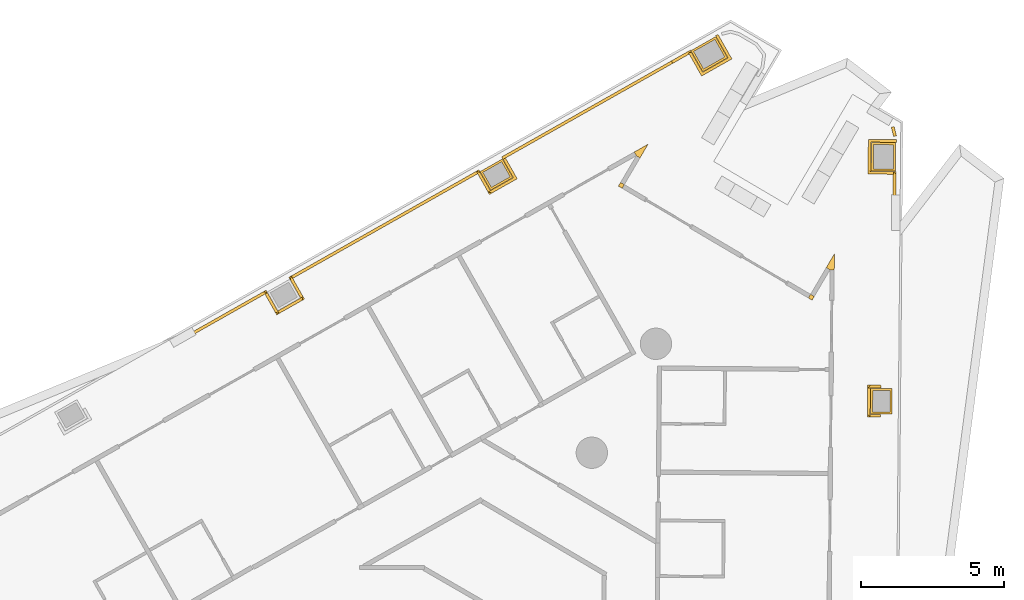
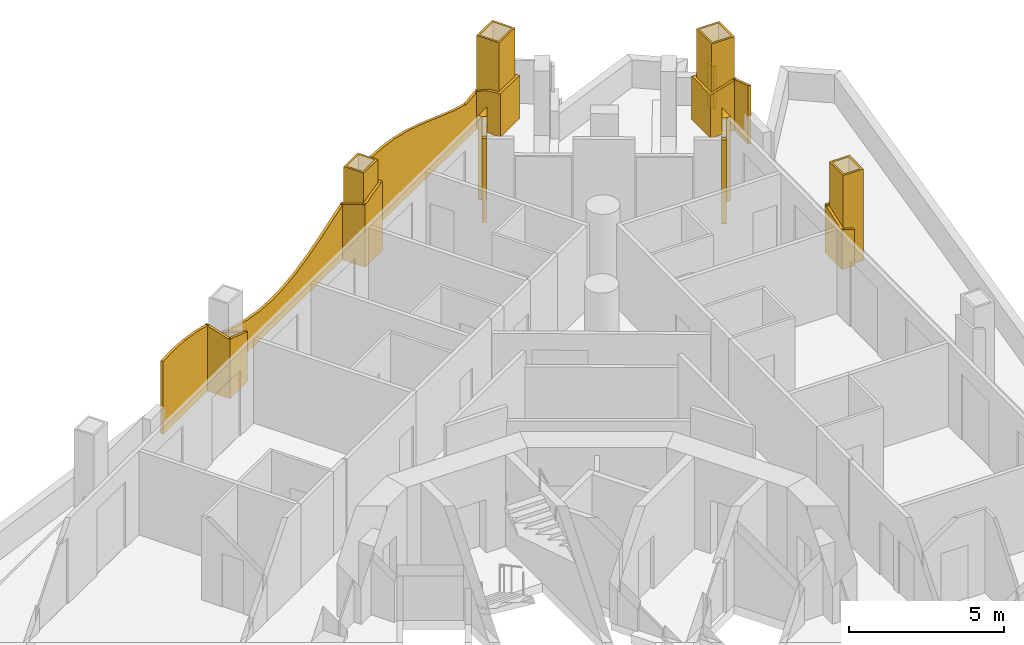
# One storey, part 17 of 18: 8 coverings, 4 railings.
"""IFC4 building model written with IfcOpenShell, lengths in metres."""

import ifcopenshell
import ifcopenshell.guid

model = None  # the IFC model being written
_history = None  # IfcOwnerHistory: only IFC2X3 demands one
_inside = {}  # id of a spatial element -> (the spatial element, [elements in it])
_under = {}  # id of a project, library or spatial element -> (it, [spatial elements below it])
_declared = {}  # id of a project -> (the project, [libraries it declares])
_typed = {}  # id of a type object -> (the type object, [elements of that type])
_made_of = {}  # id of a material, layer set ... -> (it, [elements and type objects made of it])


def new_model(schema):
    """Start an empty IFC model of exactly this schema.

    Asked for "IFC4X3", IfcOpenShell would pick the latest addendum, in which some entities
    have other attributes; the version numbers below select the first issue.
    IFC2X3 requires an IfcOwnerHistory on every rooted entity: one is made here for all.
    """
    global model, _history
    if schema == "IFC4X3":
        model = ifcopenshell.file(schema_version=(4, 3, 0, 0))
    else:
        model = ifcopenshell.file(schema=schema)
    _inside.clear()
    _under.clear()
    _declared.clear()
    _typed.clear()
    _made_of.clear()
    _history = None
    if model.schema == "IFC2X3":
        org = make("IfcOrganization", Name="unknown")
        user = make(
            "IfcPersonAndOrganization",
            ThePerson=make("IfcPerson", FamilyName="unknown"),
            TheOrganization=org,
        )
        app = make(
            "IfcApplication",
            ApplicationDeveloper=org,
            Version="unknown",
            ApplicationFullName="unknown",
            ApplicationIdentifier="unknown",
        )
        _history = make(
            "IfcOwnerHistory",
            OwningUser=user,
            OwningApplication=app,
            ChangeAction="ADDED",
            CreationDate=0,
        )
    return model


def make(cls, **values):
    """One entity of the class cls with the attributes given. An attribute that is None is left unset."""
    return model.create_entity(
        cls, **{name: value for name, value in values.items() if value is not None}
    )


def rooted(cls, **values):
    """An entity with a GlobalId (a new one), such as an element, a storey or a relation."""
    return make(cls, GlobalId=ifcopenshell.guid.new(), OwnerHistory=_history, **values)


def si_unit(unit_type, name, prefix=None):
    """IfcSIUnit, for example si_unit("LENGTHUNIT", "METRE", prefix="MILLI")."""
    return make("IfcSIUnit", UnitType=unit_type, Prefix=prefix, Name=name)


def assignment(units):
    """IfcUnitAssignment: the units of a project."""
    return None if units is None else make("IfcUnitAssignment", Units=units)


def point(xyz):
    """IfcCartesianPoint."""
    return None if xyz is None else make("IfcCartesianPoint", Coordinates=xyz)


def direction(xyz):
    """IfcDirection."""
    return None if xyz is None else make("IfcDirection", DirectionRatios=xyz)


def frame(location, z_axis=None, x_axis=None):
    """IfcAxis2Placement3D, a coordinate frame: its origin and axes. An axis left out is left unset."""
    return make(
        "IfcAxis2Placement3D",
        Location=point(location),
        Axis=direction(z_axis),
        RefDirection=direction(x_axis),
    )


def origin():
    """The frame at (0, 0, 0) with its axes left unset."""
    return frame((0.0, 0.0, 0.0))


def place(relative_to, where):
    """IfcLocalPlacement: puts the frame where relative to a parent placement (None: the world)."""
    return make(
        "IfcLocalPlacement", PlacementRelTo=relative_to, RelativePlacement=where
    )


def context(
    kind, dimensions, precision=None, world=None, true_north=None, identifier=None
):
    """IfcGeometricRepresentationContext, for example the 3D "Model" context."""
    return make(
        "IfcGeometricRepresentationContext",
        ContextIdentifier=identifier,
        ContextType=kind,
        CoordinateSpaceDimension=dimensions,
        Precision=precision,
        WorldCoordinateSystem=world,
        TrueNorth=true_north,
    )


def subcontext(parent, identifier, kind, view, scale=None):
    """IfcGeometricRepresentationSubContext, for example "Body" below "Model"."""
    return make(
        "IfcGeometricRepresentationSubContext",
        ContextIdentifier=identifier,
        ContextType=kind,
        ParentContext=parent,
        TargetScale=scale,
        TargetView=view,
    )


def project(units=None, contexts=None):
    """IfcProject with its units and contexts."""
    return rooted(
        "IfcProject",
        Name="project",
        RepresentationContexts=contexts,
        UnitsInContext=assignment(units),
    )


def spatial(cls, under=None, at=None, **own):
    """A site, building, storey or space (cls), placed at a placement, below another one or the project."""
    s = rooted(cls, ObjectPlacement=at, **own)
    if under is not None:
        _under.setdefault(under.id(), (under, []))[1].append(s)
    return s


def polyline(points):
    """IfcPolyline through the points."""
    return make("IfcPolyline", Points=[point(p) for p in points])


def outline(outer, holes=None, kind="AREA"):
    """IfcArbitraryClosedProfileDef: a profile drawn as a closed curve; with holes, ...WithVoids."""
    if holes is None:
        return make("IfcArbitraryClosedProfileDef", ProfileType=kind, OuterCurve=outer)
    return make(
        "IfcArbitraryProfileDefWithVoids",
        ProfileType=kind,
        OuterCurve=outer,
        InnerCurves=holes,
    )


def extrude(swept, where, along, depth):
    """IfcExtrudedAreaSolid: the profile swept, set in the frame where, extruded along a direction by depth."""
    return make(
        "IfcExtrudedAreaSolid",
        SweptArea=swept,
        Position=where,
        ExtrudedDirection=direction(along),
        Depth=depth,
    )


def shape(context_of_items, identifier, shape_type, items):
    """IfcShapeRepresentation: the items that make up one representation, for example the "Body"."""
    return make(
        "IfcShapeRepresentation",
        ContextOfItems=context_of_items,
        RepresentationIdentifier=identifier,
        RepresentationType=shape_type,
        Items=items,
    )


def material(Name=None, Category=None):
    """IfcMaterial."""
    return make("IfcMaterial", Name=Name, Category=Category)


def layer(
    of_material, thickness, ventilated=None, Name=None, Category=None, Priority=None
):
    """IfcMaterialLayer: one layer of a wall or slab, of a material (None: an air gap)."""
    return make(
        "IfcMaterialLayer",
        Material=of_material,
        LayerThickness=thickness,
        IsVentilated=ventilated,
        Name=Name,
        Category=Category,
        Priority=Priority,
    )


def layer_set(layers, Name=None):
    """IfcMaterialLayerSet."""
    return make("IfcMaterialLayerSet", MaterialLayers=layers, LayerSetName=Name)


def made_of(thing, what):
    """Note that an element or type object is made of a material, layer set ...; save() writes the relation."""
    if what is not None:
        _made_of.setdefault(what.id(), (what, []))[1].append(thing)
    return thing


def type_object(cls, material=None, **own):
    """A type object (cls), such as IfcWallType, which elements share."""
    return made_of(rooted(cls, **own), material)


def element(
    cls,
    number,
    at=None,
    inside=None,
    cuts=None,
    type_object=None,
    material=None,
    context=None,
    identifier="Body",
    shape_type=None,
    held_by="IfcProductDefinitionShape",
    body=None,
    shapes=None,
    **own,
):
    """One element of the class cls, such as IfcWall. Its Tag is "e" and its number.

    at: its placement. inside: the storey or other place that contains it. cuts: it is an
    opening in that element (IfcRelVoidsElement). A single representation is given by context,
    identifier, shape_type and body (its items); several are given by shapes. held_by: the class
    of the entity that holds the representations. save() writes the other relations.
    """
    e = rooted(cls, Tag="e%d" % number, ObjectPlacement=at, **own)
    if body is not None:
        shapes = [shape(context, identifier, shape_type, body)]
    if shapes is not None:
        e.Representation = make(held_by, Representations=shapes)
    if inside is not None:
        _inside.setdefault(inside.id(), (inside, []))[1].append(e)
    if cuts is not None:
        rooted(
            "IfcRelVoidsElement", RelatingBuildingElement=cuts, RelatedOpeningElement=e
        )
    if type_object is not None:
        _typed.setdefault(type_object.id(), (type_object, []))[1].append(e)
    return made_of(e, material)


def aggregate(whole, parts):
    """IfcRelAggregates: a whole, such as a stair, and the parts it consists of."""
    return rooted("IfcRelAggregates", RelatingObject=whole, RelatedObjects=parts)


def save(model, path):
    """Write the relations noted so far, then the file.

    IfcRelAggregates (storeys below a building ...), IfcRelContainedInSpatialStructure (elements
    in a storey), IfcRelDefinesByType, IfcRelAssociatesMaterial and IfcRelDeclares: one each for
    every whole, place, type object, material and project.
    """
    for whole, parts in _under.values():
        aggregate(whole, parts)
    for where, things in _inside.values():
        rooted(
            "IfcRelContainedInSpatialStructure",
            RelatedElements=things,
            RelatingStructure=where,
        )
    for kind, things in _typed.values():
        rooted("IfcRelDefinesByType", RelatedObjects=things, RelatingType=kind)
    for what, things in _made_of.values():
        rooted("IfcRelAssociatesMaterial", RelatedObjects=things, RelatingMaterial=what)
    for by, libraries in _declared.values():
        rooted("IfcRelDeclares", RelatingContext=by, RelatedDefinitions=libraries)
    model.write(path)


model = new_model("IFC4")

# Units and contexts
model_context = context("Model", 3, precision=1e-05, world=origin(), true_north=direction((0.0, 1.0)))
body_context = subcontext(model_context, "Body", "Model", "MODEL_VIEW")
ifc_project = project(units=[si_unit("LENGTHUNIT", "METRE"), si_unit("AREAUNIT", "SQUARE_METRE"), si_unit("VOLUMEUNIT", "CUBIC_METRE"), si_unit("PLANEANGLEUNIT", "RADIAN"), si_unit("MASSUNIT", "GRAM", prefix="KILO")], contexts=[model_context])

# Site, building, storey
site_placement = place(None, origin())
site = spatial("IfcSite", under=ifc_project, at=site_placement, CompositionType="ELEMENT")
building_placement = place(site_placement, origin())
building = spatial("IfcBuilding", under=site, at=building_placement, Name="Trine Commons Tower", CompositionType="ELEMENT")
storey_placement = place(building_placement, frame((0.0, 0.0, 161.10009765625)))
storey = spatial("IfcBuildingStorey", under=building, at=storey_placement, Name="L41", CompositionType="ELEMENT", Elevation=161.10009765625)

# Coverings
ifc_material_1 = material(Name="Aluminium-framed insulated wall panel", Category="aluminium")
ifc_layer_1 = layer(ifc_material_1, 0.14990234375)
ifc_layer_set_1 = layer_set([ifc_layer_1], Name="Aluminium-framed insulated wall panel")
covering_type_1 = type_object("IfcCoveringType", Name="Glazing corner post, aluminium", PredefinedType="CLADDING", material=ifc_layer_set_1)
covering_1_placement = place(storey_placement, origin())
element("IfcCovering", 1, at=covering_1_placement, inside=storey, type_object=covering_type_1, Name="Glazing corner post 5-05", PredefinedType="CLADDING", context=body_context, shape_type="SweptSolid", body=[
    extrude(outline(polyline([(90.626220703125, 88.007080078125), (90.910400390625, 88.489501953125), (90.423095703125, 88.213623046875), (90.496826171875, 88.083251953125), (90.626220703125, 88.007080078125)])), origin(), (0.0, 0.0, 1.0), 3.2998046875),
])
covering_2_placement = place(storey_placement, origin())
element("IfcCovering", 2, at=covering_2_placement, inside=storey, type_object=covering_type_1, Name="Glazing corner post 5-06", PredefinedType="CLADDING", context=body_context, shape_type="SweptSolid", body=[
    extrude(outline(polyline([(89.9990234375, 86.9423828125), (90.0751953125, 87.071533203125), (89.94580078125, 87.147705078125), (89.86962890625, 87.018310546875), (89.9990234375, 86.9423828125)])), origin(), (0.0, 0.0, 1.0), 3.2998046875),
])
covering_3_placement = place(storey_placement, origin())
element("IfcCovering", 3, at=covering_3_placement, inside=storey, type_object=covering_type_1, Name="Glazing corner post 5-07", PredefinedType="CLADDING", context=body_context, shape_type="SweptSolid", body=[
    extrude(outline(polyline([(96.530029296875, 83.09521484375), (96.659423828125, 83.01904296875), (96.735595703125, 83.148193359375), (96.606201171875, 83.224365234375), (96.530029296875, 83.09521484375)])), origin(), (0.0, 0.0, 1.0), 3.2998046875),
])
covering_4_placement = place(storey_placement, origin())
element("IfcCovering", 4, at=covering_4_placement, inside=storey, type_object=covering_type_1, Name="Glazing corner post 5-08", PredefinedType="CLADDING", context=body_context, shape_type="SweptSolid", body=[
    extrude(outline(polyline([(97.4365234375, 84.08251953125), (97.44140625, 84.64208984375), (97.1572265625, 84.159912109375), (97.28662109375, 84.083740234375), (97.4365234375, 84.08251953125)])), origin(), (0.0, 0.0, 1.0), 3.2998046875),
])
ifc_material_2 = material(Name="Limestone, honed", Category="masonry")
ifc_layer_2 = layer(ifc_material_2, 0.074951171875)
ifc_layer_set_2 = layer_set([ifc_layer_2], Name="Limestone, honed")
covering_type_2 = type_object("IfcCoveringType", Name="Limestone column cladding 75", PredefinedType="CLADDING", material=ifc_layer_set_2)
covering_5_placement = place(storey_placement, origin())
element("IfcCovering", 5, at=covering_5_placement, inside=storey, type_object=covering_type_2, Name="Limestone pier cladding 5-13", PredefinedType="CLADDING", context=body_context, shape_type="SweptSolid", body=[
    extrude(outline(polyline([(86.169921875, 87.318359375), (85.80078125, 87.97119140625), (85.017333984375, 87.52783203125), (85.38671875, 86.875), (86.169921875, 87.318359375)]), holes=[polyline([(86.06787109375, 87.3466796875), (85.7724609375, 87.868896484375), (85.11962890625, 87.49951171875), (85.4150390625, 86.977294921875), (86.06787109375, 87.3466796875)])]), origin(), (0.0, 0.0, 1.0), 3.599853515625),
])
covering_6_placement = place(storey_placement, origin())
element("IfcCovering", 6, at=covering_6_placement, inside=storey, type_object=covering_type_2, Name="Limestone pier cladding 5-14", PredefinedType="CLADDING", context=body_context, shape_type="SweptSolid", body=[
    extrude(outline(polyline([(93.697509765625, 91.519775390625), (93.279052734375, 92.259521484375), (92.40869140625, 91.76708984375), (92.8271484375, 91.02734375), (93.697509765625, 91.519775390625)]), holes=[polyline([(93.59521484375, 91.548095703125), (93.250732421875, 92.157470703125), (92.510986328125, 91.73876953125), (92.85546875, 91.129638671875), (93.59521484375, 91.548095703125)])]), origin(), (0.0, 0.0, 1.0), 3.599853515625),
])
covering_7_placement = place(storey_placement, origin())
element("IfcCovering", 7, at=covering_7_placement, inside=storey, type_object=covering_type_2, Name="Limestone pier cladding 5-15", PredefinedType="CLADDING", context=body_context, shape_type="SweptSolid", body=[
    extrude(outline(polyline([(99.590576171875, 88.5419921875), (98.740478515625, 88.54931640625), (98.73193359375, 87.54931640625), (99.581787109375, 87.5419921875), (99.590576171875, 88.5419921875)]), holes=[polyline([(99.514892578125, 88.467529296875), (98.81494140625, 88.4736328125), (98.8076171875, 87.623779296875), (99.507568359375, 87.61767578125), (99.514892578125, 88.467529296875)])]), origin(), (0.0, 0.0, 1.0), 3.599853515625),
])
covering_8_placement = place(storey_placement, origin())
element("IfcCovering", 8, at=covering_8_placement, inside=storey, type_object=covering_type_2, Name="Limestone pier cladding 5-16", PredefinedType="CLADDING", context=body_context, shape_type="SweptSolid", body=[
    extrude(outline(polyline([(99.46533203125, 79.922119140625), (98.71533203125, 79.9287109375), (98.70751953125, 79.028564453125), (99.45751953125, 79.02197265625), (99.46533203125, 79.922119140625)]), holes=[polyline([(99.3896484375, 79.84765625), (98.789794921875, 79.852783203125), (98.783203125, 79.102783203125), (99.383056640625, 79.09765625), (99.3896484375, 79.84765625)])]), origin(), (0.0, 0.0, 1.0), 3.599853515625),
])

# Railings
ifc_material_3 = material(Name="White powder-coated aluminium", Category="aluminium")
ifc_layer_3 = layer(ifc_material_3, 0.10009765625)
ifc_layer_set_3 = layer_set([ifc_layer_3], Name="White powder-coated aluminium")
railing_type = type_object("IfcRailingType", Name="White balustrade band 100", PredefinedType="GUARDRAIL", material=ifc_layer_set_3)
railing_1_placement = place(storey_placement, origin())
element("IfcRailing", 9, at=railing_1_placement, inside=storey, type_object=railing_type, Name="Guard band L41 11", PredefinedType="GUARDRAIL", context=body_context, shape_type="SweptSolid", body=[
    extrude(outline(polyline([(0.0, 0.0), (2.919189453125, 0.0), (2.919189453125, 2.564208984375), (2.154052734375, 2.74658203125), (1.388916015625, 2.862060546875), (0.647705078125, 2.89990234375), (0.62353515625, 2.89990234375), (0.0, 2.864990234375), (0.0, 0.0)])), frame((74.97216796875, 81.930908203125, 0.0), z_axis=(0.49236037445, -0.870391441635, 0.0), x_axis=(0.870391441635, 0.49236037445, 0.0)), (0.0, 0.0, 1.0), 0.10009765625),
    extrude(outline(polyline([(0.0, 0.0), (0.9365234375, 0.0), (0.9365234375, 2.30810546875), (0.46826171875, 2.45751953125), (0.0, 2.591796875), (0.0, 0.0)])), frame((77.511962890625, 83.36865234375, 0.0), z_axis=(-0.870368577416, -0.492400791476, 0.0), x_axis=(0.492400791476, -0.870368577416, 0.0)), (0.0, 0.0, 1.0), 0.10009765625),
    extrude(outline(polyline([(0.0, 0.0), (1.121826171875, 0.0), (1.121826171875, 1.95361328125), (0.56103515625, 2.151123046875), (0.0, 2.341552734375), (0.0, 0.0)])), frame((77.83544921875, 82.591552734375, 0.0), z_axis=(0.492243682902, -0.870457441029, 0.0), x_axis=(0.870457441029, 0.492243682902, 0.0)), (0.0, 0.0, 1.0), 0.10009765625),
    extrude(outline(polyline([(0.0, 0.0), (0.9365234375, 0.0), (0.9365234375, 1.666015625), (0.46826171875, 1.82470703125), (0.0, 1.9892578125), (0.0, 0.0)])), frame((78.773681640625, 83.0068359375, 0.0), z_axis=(0.870368577416, 0.492400791476, 0.0), x_axis=(-0.492400791476, 0.870368577416, 0.0)), (0.0, 0.0, 1.0), 0.10009765625),
    extrude(outline(polyline([(0.0, 0.0), (7.65234375, 0.0), (7.65234375, 2.184814453125), (6.88720703125, 1.915283203125), (6.121826171875, 1.65380859375), (5.356689453125, 1.423095703125), (4.59130859375, 1.244384765625), (3.826171875, 1.13330078125), (3.130859375, 1.099853515625), (3.060791015625, 1.10009765625), (2.295654296875, 1.14794921875), (1.530517578125, 1.272216796875), (0.76513671875, 1.4619140625), (0.0, 1.69970703125), (0.0, 0.0)])), frame((78.3125, 83.820556640625, 0.0), z_axis=(0.492440927411, -0.870345869761, 0.0), x_axis=(0.870345869761, 0.492440927411, 0.0)), (0.0, 0.0, 1.0), 0.10009765625),
    extrude(outline(polyline([(0.0, 0.0), (0.93701171875, 0.0), (0.93701171875, 2.458740234375), (0.468505859375, 2.309326171875), (0.0, 2.1494140625), (0.0, 0.0)])), frame((84.971435546875, 87.5888671875, 0.0), z_axis=(-0.870320077179, -0.492486510739, 0.0), x_axis=(0.492486510739, -0.870320077179, 0.0)), (0.0, 0.0, 1.0), 0.10009765625),
    extrude(outline(polyline([(0.0, 0.0), (1.12158203125, 0.0), (1.12158203125, 2.724609375), (0.560791015625, 2.590087890625), (0.0, 2.427490234375), (0.0, 0.0)])), frame((85.295166015625, 86.811767578125, 0.0), z_axis=(0.492430227842, -0.870351923481, 0.0), x_axis=(0.870351923481, 0.492430227842, 0.0)), (0.0, 0.0, 1.0), 0.10009765625),
    extrude(outline(polyline([(0.0, 0.0), (0.936767578125, 0.0), (0.936767578125, 2.85791015625), (0.468505859375, 2.72998046875), (0.0, 2.70263671875), (0.0, 0.0)])), frame((86.2333984375, 87.2265625, 0.0), z_axis=(0.87043175696, 0.492289098473, 0.0), x_axis=(-0.492289098473, 0.87043175696, 0.0)), (0.0, 0.0, 1.0), 0.10009765625),
    extrude(outline(polyline([(0.0, 0.0), (7.60205078125, 0.0), (7.601806640625, 1.47216796875), (6.841796875, 1.37158203125), (6.08154296875, 1.58935546875), (5.3212890625, 1.843505859375), (4.56103515625, 2.111083984375), (3.80078125, 2.369384765625), (3.040771484375, 2.594482421875), (2.280517578125, 2.76708984375), (1.5205078125, 2.87158203125), (0.881103515625, 2.89990234375), (0.76025390625, 2.89892578125), (0.0, 2.846435546875), (0.0, 0.0)])), frame((85.77197265625, 88.041015625, 0.0), z_axis=(0.49242336398, -0.870355806901, 0.0), x_axis=(0.870355806901, 0.49242336398, 0.0)), (0.0, 0.0, 1.0), 0.10009765625),
    extrude(outline(polyline([(0.0, 0.0), (0.98681640625, 0.0), (0.986572265625, 1.699951171875), (0.493408203125, 1.651123046875), (0.0, 1.4375), (0.0, 0.0)])), frame((92.38720703125, 91.78466796875, 0.0), z_axis=(-0.870396902409, -0.492350720805, 0.0), x_axis=(0.492350720805, -0.870396902409, 0.0)), (0.0, 0.0, 1.0), 0.10009765625),
    extrude(outline(polyline([(0.0, 0.0), (1.2216796875, 0.0), (1.2216796875, 1.699951171875), (0.61083984375, 1.699951171875), (0.48681640625, 1.699951171875), (0.0, 1.699951171875), (0.0, 0.0)])), frame((92.73583984375, 90.964111328125, 0.0), z_axis=(0.492432575552, -0.870350595183, 0.0), x_axis=(0.870350595183, 0.492432575552, 0.0)), (0.0, 0.0, 1.0), 0.10009765625),
    extrude(outline(polyline([(0.0, 0.0), (0.987060546875, 0.0), (0.987060546875, 1.699951171875), (0.493408203125, 1.699951171875), (0.0, 1.699951171875), (0.0, 0.0)])), frame((93.7607421875, 91.42822265625, 0.0), z_axis=(0.870456858096, 0.492244713729, 0.0), x_axis=(-0.492244713729, 0.870456858096, 0.0)), (0.0, 0.0, 1.0), 0.10009765625),
])
railing_2_placement = place(storey_placement, origin())
element("IfcRailing", 10, at=railing_2_placement, inside=storey, type_object=railing_type, Name="Guard band L41 13", PredefinedType="GUARDRAIL", context=body_context, shape_type="SweptSolid", body=[
    extrude(outline(polyline([(0.0, 0.0), (0.331787109375, 0.0), (0.331787109375, 1.699951171875), (0.0, 1.699951171875), (0.0, 0.0)])), frame((99.53466796875, 89.106689453125, 0.0), z_axis=(-0.968029981625, -0.250834516515, 0.0), x_axis=(0.250834516515, -0.968029981625, 0.0)), (0.0, 0.0, 1.0), 0.10009765625),
])
railing_3_placement = place(storey_placement, origin())
element("IfcRailing", 11, at=railing_3_placement, inside=storey, type_object=railing_type, Name="Guard band L41 14", PredefinedType="GUARDRAIL", context=body_context, shape_type="SweptSolid", body=[
    extrude(outline(polyline([(0.0, 0.0), (0.98681640625, 0.0), (0.98681640625, 1.699951171875), (0.493408203125, 1.699951171875), (0.0, 1.699951171875), (0.0, 0.0)])), frame((99.6162109375, 88.5517578125, 0.0), z_axis=(0.008411379814, 0.999964623719, 0.0), x_axis=(-0.999964623719, 0.008411379814, 0.0)), (0.0, 0.0, 1.0), 0.10009765625),
    extrude(outline(polyline([(0.0, 0.0), (1.221923828125, 0.0), (1.22216796875, 1.699951171875), (0.611083984375, 1.699951171875), (0.0, 1.699951171875), (0.0, 0.0)])), frame((98.7314453125, 88.66015625, 0.0), z_axis=(-0.999963095892, 0.008591091533, 0.0), x_axis=(-0.008591091533, -0.999963095892, 0.0)), (0.0, 0.0, 1.0), 0.10009765625),
    extrude(outline(polyline([(0.0, 0.0), (0.98681640625, 0.0), (0.98681640625, 2.003173828125), (0.493408203125, 1.82958984375), (0.0, 1.699951171875), (0.0, 0.0)])), frame((98.621337890625, 87.540283203125, 0.0), z_axis=(-0.008658755054, -0.999962512278, 0.0), x_axis=(0.999962512278, -0.008658755054, 0.0)), (0.0, 0.0, 1.0), 0.10009765625),
    extrude(outline(polyline([(0.0, 0.0), (1.0029296875, 0.0), (1.002685546875, 2.311767578125), (0.76025390625, 2.2333984375), (0.0, 1.967041015625), (0.0, 0.0)])), frame((99.606689453125, 87.5322265625, 0.0), z_axis=(-0.999963707108, 0.008519651838, 0.0), x_axis=(-0.008519651838, -0.999963707108, 0.0)), (0.0, 0.0, 1.0), 0.10009765625),
])
railing_4_placement = place(storey_placement, origin())
element("IfcRailing", 12, at=railing_4_placement, inside=storey, type_object=railing_type, Name="Guard band L41 15", PredefinedType="GUARDRAIL", context=body_context, shape_type="SweptSolid", body=[
    extrude(outline(polyline([(0.0, 0.0), (0.4658203125, 0.0), (0.4658203125, 1.875244140625), (0.4658203125, 1.875244140625), (0.0, 2.039794921875), (0.0, 0.0)])), frame((99.0703125, 79.935546875, 0.0), z_axis=(0.008385449405, 0.999964841501, 0.0), x_axis=(-0.999964841501, 0.008385449405, 0.0)), (0.0, 0.0, 1.0), 0.10009765625),
    extrude(outline(polyline([(0.0, 0.0), (1.12158203125, 0.0), (1.12158203125, 1.537109375), (0.560791015625, 1.71728515625), (0.0, 1.910888671875), (0.0, 0.0)])), frame((98.706298828125, 80.039306640625, 0.0), z_axis=(-0.999962096151, 0.008706679113, 0.0), x_axis=(-0.008706679113, -0.999962096151, 0.0)), (0.0, 0.0, 1.0), 0.10009765625),
    extrude(outline(polyline([(0.0, 0.0), (0.4658203125, 0.0), (0.4658203125, 1.431884765625), (0.0, 1.568603515625), (0.0, 0.0)])), frame((98.5966796875, 79.01953125, 0.0), z_axis=(-0.008385449405, -0.999964841501, 0.0), x_axis=(0.999964841501, -0.008385449405, 0.0)), (0.0, 0.0, 1.0), 0.10009765625),
])

save(model, "model.ifc")
